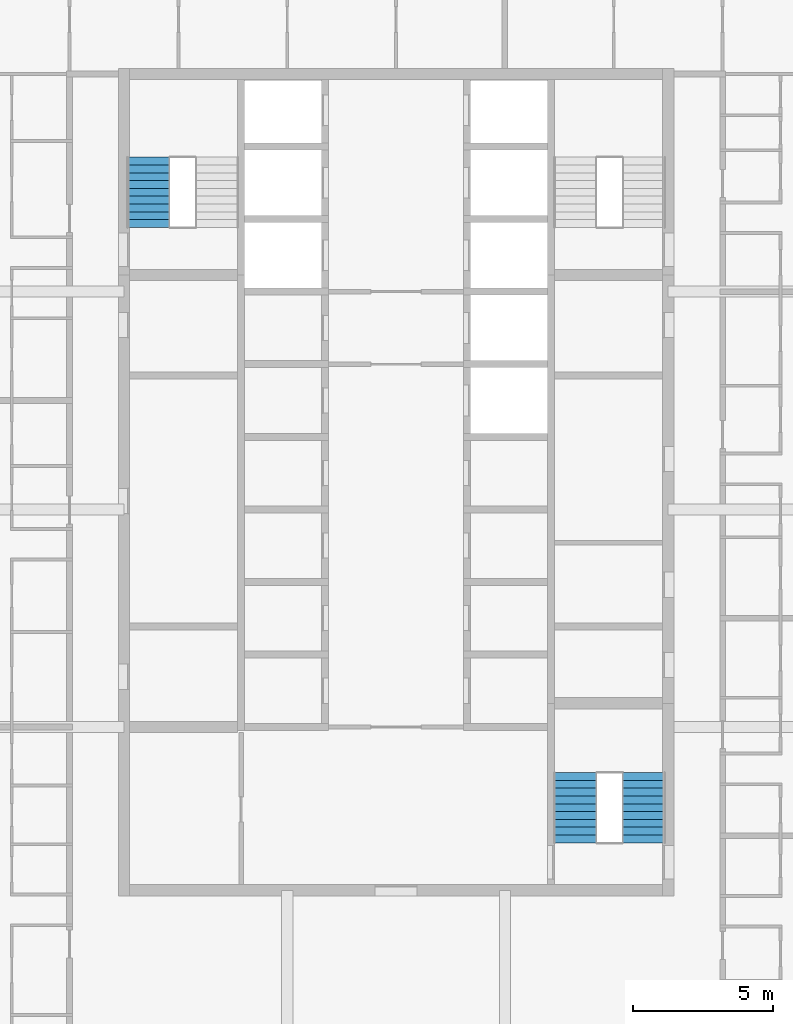
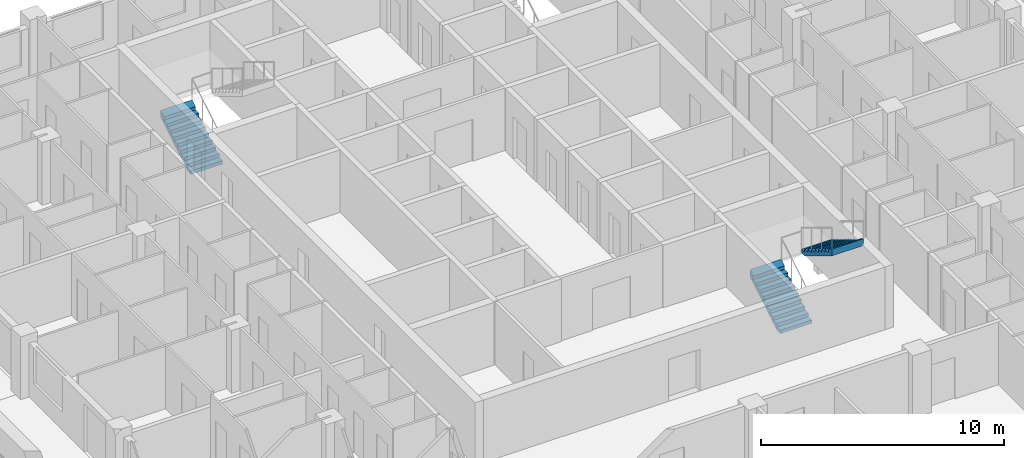
# One storey, part 13 of 17: 3 stair flights, 2 elements without a shape of their own.
"""IFC4 building model written with IfcOpenShell, lengths in metres."""

from ifc_helpers import new_model, si_unit, direction, frame, origin, place, context, subcontext, project, spatial, triangles, material, type_object, element, aggregate, save


model = new_model("IFC4")

# Units and contexts
model_context = context("Model", 3, precision=1e-05, world=origin(), true_north=direction((0.0, 1.0)))
body_context = subcontext(model_context, "Body", "Model", "MODEL_VIEW")
ifc_project = project(units=[si_unit("LENGTHUNIT", "METRE"), si_unit("AREAUNIT", "SQUARE_METRE"), si_unit("VOLUMEUNIT", "CUBIC_METRE"), si_unit("PLANEANGLEUNIT", "RADIAN"), si_unit("MASSUNIT", "GRAM", prefix="KILO")], contexts=[model_context])

# Site, building, storey
site_placement = place(None, origin())
site = spatial("IfcSite", under=ifc_project, at=site_placement, CompositionType="ELEMENT")
building_placement = place(site_placement, origin())
building = spatial("IfcBuilding", under=site, at=building_placement, Name="Ludao Terraces", CompositionType="ELEMENT")
storey_placement = place(building_placement, frame((0.0, 0.0, 221.10009765625)))
storey = spatial("IfcBuildingStorey", under=building, at=storey_placement, Name="L60", CompositionType="ELEMENT", Elevation=221.10009765625)

# Stair, stair flight
ifc_material = material(Name="Concrete C40", Category="concrete")
stair_type = type_object("IfcStairType", Name="INT Stair", PredefinedType="HALF_TURN_STAIR", material=ifc_material)
stair_1_placement = place(storey_placement, origin())
stair_1 = element("IfcStair", 1, at=stair_1_placement, inside=storey, type_object=stair_type, Name="EXIT STAIR 1", PredefinedType="HALF_TURN_STAIR")
stair_flight_type = type_object("IfcStairFlightType", Name="INT Stair flight", PredefinedType="STRAIGHT", material=ifc_material)
stair_flight_1_placement = place(storey_placement, frame((76.125, 79.0, 0.0), z_axis=(0.0, 0.0, 1.0), x_axis=(0.0, 1.0, 0.0)))
stair_flight_1 = element("IfcStairFlight", 2, at=stair_flight_1_placement, type_object=stair_flight_type, Name="ST1 flight 1", NumberOfRisers=10, NumberOfTreads=9, PredefinedType="STRAIGHT", RiserHeight=0.17, TreadLength=0.28, context=body_context, shape_type="Tessellation", body=[
    triangles([(0.0, -0.75, 0.0), (0.0, -0.5, 0.0), (0.0, -0.25, 0.0), (0.0, 0.0, 0.0), (0.0, 0.25, 0.0), (0.0, 0.5, 0.0), (0.0, 0.75, 0.0), (0.0, -0.75, 0.169921875), (0.0, -0.5, 0.169921875), (0.0, -0.25, 0.169921875), (0.0, 0.0, 0.169921875), (0.0, 0.25, 0.169921875), (0.0, 0.5, 0.169921875), (0.0, 0.75, 0.169921875), (0.280029296875, -0.75, 0.169921875), (0.280029296875, -0.5, 0.169921875), (0.280029296875, -0.25, 0.169921875), (0.280029296875, 0.0, 0.169921875), (0.280029296875, 0.25, 0.169921875), (0.280029296875, 0.5, 0.169921875), (0.280029296875, 0.75, 0.169921875), (0.280029296875, -0.75, 0.340087890625), (0.280029296875, -0.5, 0.340087890625), (0.280029296875, -0.25, 0.340087890625), (0.280029296875, 0.0, 0.340087890625), (0.280029296875, 0.25, 0.340087890625), (0.280029296875, 0.5, 0.340087890625), (0.280029296875, 0.75, 0.340087890625), (0.56005859375, -0.75, 0.340087890625), (0.56005859375, -0.5, 0.340087890625), (0.56005859375, -0.25, 0.340087890625), (0.56005859375, 0.0, 0.340087890625), (0.56005859375, 0.25, 0.340087890625), (0.56005859375, 0.5, 0.340087890625), (0.56005859375, 0.75, 0.340087890625), (0.56005859375, -0.75, 0.510009765625), (0.56005859375, -0.5, 0.510009765625), (0.56005859375, -0.25, 0.510009765625), (0.56005859375, 0.0, 0.510009765625), (0.56005859375, 0.25, 0.510009765625), (0.56005859375, 0.5, 0.510009765625), (0.56005859375, 0.75, 0.510009765625), (0.840087890625, -0.75, 0.510009765625), (0.840087890625, -0.5, 0.510009765625), (0.840087890625, -0.25, 0.510009765625), (0.840087890625, 0.0, 0.510009765625), (0.840087890625, 0.25, 0.510009765625), (0.840087890625, 0.5, 0.510009765625), (0.840087890625, 0.75, 0.510009765625), (0.840087890625, -0.75, 0.679931640625), (0.840087890625, -0.5, 0.679931640625), (0.840087890625, -0.25, 0.679931640625), (0.840087890625, 0.0, 0.679931640625), (0.840087890625, 0.25, 0.679931640625), (0.840087890625, 0.5, 0.679931640625), (0.840087890625, 0.75, 0.679931640625), (1.1201171875, -0.75, 0.679931640625), (1.1201171875, -0.5, 0.679931640625), (1.1201171875, -0.25, 0.679931640625), (1.1201171875, 0.0, 0.679931640625), (1.1201171875, 0.25, 0.679931640625), (1.1201171875, 0.5, 0.679931640625), (1.1201171875, 0.75, 0.679931640625), (1.1201171875, -0.75, 0.85009765625), (1.1201171875, -0.5, 0.85009765625), (1.1201171875, -0.25, 0.85009765625), (1.1201171875, 0.0, 0.85009765625), (1.1201171875, 0.25, 0.85009765625), (1.1201171875, 0.5, 0.85009765625), (1.1201171875, 0.75, 0.85009765625), (1.39990234375, -0.75, 0.85009765625), (1.39990234375, -0.5, 0.85009765625), (1.39990234375, -0.25, 0.85009765625), (1.39990234375, 0.0, 0.85009765625), (1.39990234375, 0.25, 0.85009765625), (1.39990234375, 0.5, 0.85009765625), (1.39990234375, 0.75, 0.85009765625), (1.39990234375, -0.75, 1.02001953125), (1.39990234375, -0.5, 1.02001953125), (1.39990234375, -0.25, 1.02001953125), (1.39990234375, 0.0, 1.02001953125), (1.39990234375, 0.25, 1.02001953125), (1.39990234375, 0.5, 1.02001953125), (1.39990234375, 0.75, 1.02001953125), (1.679931640625, -0.75, 1.02001953125), (1.679931640625, -0.5, 1.02001953125), (1.679931640625, -0.25, 1.02001953125), (1.679931640625, 0.0, 1.02001953125), (1.679931640625, 0.25, 1.02001953125), (1.679931640625, 0.5, 1.02001953125), (1.679931640625, 0.75, 1.02001953125), (1.679931640625, -0.75, 1.18994140625), (1.679931640625, -0.5, 1.18994140625), (1.679931640625, -0.25, 1.18994140625), (1.679931640625, 0.0, 1.18994140625), (1.679931640625, 0.25, 1.18994140625), (1.679931640625, 0.5, 1.18994140625), (1.679931640625, 0.75, 1.18994140625), (1.9599609375, -0.75, 1.18994140625), (1.9599609375, -0.5, 1.18994140625), (1.9599609375, -0.25, 1.18994140625), (1.9599609375, 0.0, 1.18994140625), (1.9599609375, 0.25, 1.18994140625), (1.9599609375, 0.5, 1.18994140625), (1.9599609375, 0.75, 1.18994140625), (1.9599609375, -0.75, 1.360107421875), (1.9599609375, -0.5, 1.360107421875), (1.9599609375, -0.25, 1.360107421875), (1.9599609375, 0.0, 1.360107421875), (1.9599609375, 0.25, 1.360107421875), (1.9599609375, 0.5, 1.360107421875), (1.9599609375, 0.75, 1.360107421875), (2.239990234375, -0.75, 1.360107421875), (2.239990234375, -0.5, 1.360107421875), (2.239990234375, -0.25, 1.360107421875), (2.239990234375, 0.0, 1.360107421875), (2.239990234375, 0.25, 1.360107421875), (2.239990234375, 0.5, 1.360107421875), (2.239990234375, 0.75, 1.360107421875), (2.239990234375, -0.75, 1.530029296875), (2.239990234375, -0.5, 1.530029296875), (2.239990234375, -0.25, 1.530029296875), (2.239990234375, 0.0, 1.530029296875), (2.239990234375, 0.25, 1.530029296875), (2.239990234375, 0.5, 1.530029296875), (2.239990234375, 0.75, 1.530029296875), (2.52001953125, -0.75, 1.699951171875), (2.52001953125, -0.5, 1.699951171875), (2.52001953125, -0.25, 1.699951171875), (2.52001953125, 0.0, 1.699951171875), (2.52001953125, 0.25, 1.699951171875), (2.52001953125, 0.5, 1.699951171875), (2.52001953125, 0.75, 1.699951171875), (2.52001953125, -0.75, 1.354736328125), (2.52001953125, -0.5, 1.354736328125), (2.52001953125, -0.25, 1.354736328125), (2.52001953125, 0.0, 1.354736328125), (2.52001953125, 0.25, 1.354736328125), (2.52001953125, 0.5, 1.354736328125), (2.52001953125, 0.75, 1.354736328125), (0.288818359375, -0.75, 0.0), (0.288818359375, -0.5, 0.0), (0.288818359375, -0.25, 0.0), (0.288818359375, 0.0, 0.0), (0.288818359375, 0.25, 0.0), (0.288818359375, 0.5, 0.0), (0.288818359375, 0.75, 0.0)], [[1, 141, 134], [7, 140, 147], [134, 127, 120], [140, 126, 133], [134, 120, 113], [140, 119, 126], [134, 113, 106], [140, 112, 119], [134, 106, 99], [140, 105, 112], [99, 92, 85], [105, 91, 98], [134, 99, 85], [140, 91, 105], [85, 78, 71], [91, 77, 84], [134, 85, 71], [140, 77, 91], [71, 64, 57], [77, 63, 70], [134, 71, 57], [140, 63, 77], [57, 50, 43], [63, 49, 56], [134, 57, 43], [140, 49, 63], [43, 36, 29], [49, 35, 42], [134, 43, 29], [140, 35, 49], [29, 22, 15], [35, 21, 28], [134, 29, 15], [140, 21, 35], [1, 134, 15], [7, 21, 140], [15, 8, 1], [21, 7, 14], [1, 9, 2], [1, 8, 9], [2, 10, 3], [2, 9, 10], [3, 11, 4], [3, 10, 11], [4, 12, 5], [4, 11, 12], [5, 13, 6], [5, 12, 13], [6, 14, 7], [6, 13, 14], [8, 16, 9], [8, 15, 16], [9, 17, 10], [9, 16, 17], [10, 18, 11], [10, 17, 18], [11, 19, 12], [11, 18, 19], [12, 20, 13], [12, 19, 20], [13, 21, 14], [13, 20, 21], [15, 23, 16], [15, 22, 23], [16, 24, 17], [16, 23, 24], [17, 25, 18], [17, 24, 25], [18, 26, 19], [18, 25, 26], [19, 27, 20], [19, 26, 27], [20, 28, 21], [20, 27, 28], [22, 30, 23], [22, 29, 30], [23, 31, 24], [23, 30, 31], [24, 32, 25], [24, 31, 32], [25, 33, 26], [25, 32, 33], [26, 34, 27], [26, 33, 34], [27, 35, 28], [27, 34, 35], [29, 37, 30], [29, 36, 37], [30, 38, 31], [30, 37, 38], [31, 39, 32], [31, 38, 39], [32, 40, 33], [32, 39, 40], [33, 41, 34], [33, 40, 41], [34, 42, 35], [34, 41, 42], [36, 44, 37], [36, 43, 44], [37, 45, 38], [37, 44, 45], [38, 46, 39], [38, 45, 46], [39, 47, 40], [39, 46, 47], [40, 48, 41], [40, 47, 48], [41, 49, 42], [41, 48, 49], [43, 51, 44], [43, 50, 51], [44, 52, 45], [44, 51, 52], [45, 53, 46], [45, 52, 53], [46, 54, 47], [46, 53, 54], [47, 55, 48], [47, 54, 55], [48, 56, 49], [48, 55, 56], [50, 58, 51], [50, 57, 58], [51, 59, 52], [51, 58, 59], [52, 60, 53], [52, 59, 60], [53, 61, 54], [53, 60, 61], [54, 62, 55], [54, 61, 62], [55, 63, 56], [55, 62, 63], [57, 65, 58], [57, 64, 65], [58, 66, 59], [58, 65, 66], [59, 67, 60], [59, 66, 67], [60, 68, 61], [60, 67, 68], [61, 69, 62], [61, 68, 69], [62, 70, 63], [62, 69, 70], [64, 72, 65], [64, 71, 72], [65, 73, 66], [65, 72, 73], [66, 74, 67], [66, 73, 74], [67, 75, 68], [67, 74, 75], [68, 76, 69], [68, 75, 76], [69, 77, 70], [69, 76, 77], [71, 79, 72], [71, 78, 79], [72, 80, 73], [72, 79, 80], [73, 81, 74], [73, 80, 81], [74, 82, 75], [74, 81, 82], [75, 83, 76], [75, 82, 83], [76, 84, 77], [76, 83, 84], [78, 86, 79], [78, 85, 86], [79, 87, 80], [79, 86, 87], [80, 88, 81], [80, 87, 88], [81, 89, 82], [81, 88, 89], [82, 90, 83], [82, 89, 90], [83, 91, 84], [83, 90, 91], [85, 93, 86], [85, 92, 93], [86, 94, 87], [86, 93, 94], [87, 95, 88], [87, 94, 95], [88, 96, 89], [88, 95, 96], [89, 97, 90], [89, 96, 97], [90, 98, 91], [90, 97, 98], [92, 100, 93], [92, 99, 100], [93, 101, 94], [93, 100, 101], [94, 102, 95], [94, 101, 102], [95, 103, 96], [95, 102, 103], [96, 104, 97], [96, 103, 104], [97, 105, 98], [97, 104, 105], [99, 107, 100], [99, 106, 107], [100, 108, 101], [100, 107, 108], [101, 109, 102], [101, 108, 109], [102, 110, 103], [102, 109, 110], [103, 111, 104], [103, 110, 111], [104, 112, 105], [104, 111, 112], [106, 114, 107], [106, 113, 114], [107, 115, 108], [107, 114, 115], [108, 116, 109], [108, 115, 116], [109, 117, 110], [109, 116, 117], [110, 118, 111], [110, 117, 118], [111, 119, 112], [111, 118, 119], [113, 121, 114], [113, 120, 121], [114, 122, 115], [114, 121, 122], [115, 123, 116], [115, 122, 123], [116, 124, 117], [116, 123, 124], [117, 125, 118], [117, 124, 125], [118, 126, 119], [118, 125, 126], [120, 128, 121], [120, 127, 128], [121, 129, 122], [121, 128, 129], [122, 130, 123], [122, 129, 130], [123, 131, 124], [123, 130, 131], [124, 132, 125], [124, 131, 132], [125, 133, 126], [125, 132, 133], [127, 135, 128], [127, 134, 135], [128, 136, 129], [128, 135, 136], [129, 137, 130], [129, 136, 137], [130, 138, 131], [130, 137, 138], [131, 139, 132], [131, 138, 139], [132, 140, 133], [132, 139, 140], [134, 142, 135], [134, 141, 142], [135, 143, 136], [135, 142, 143], [136, 144, 137], [136, 143, 144], [137, 145, 138], [137, 144, 145], [138, 146, 139], [138, 145, 146], [139, 147, 140], [139, 146, 147], [141, 2, 142], [141, 1, 2], [142, 3, 143], [142, 2, 3], [143, 4, 144], [143, 3, 4], [144, 5, 145], [144, 4, 5], [145, 6, 146], [145, 5, 6], [146, 7, 147], [146, 6, 7]], closed=True),
])
aggregate(stair_1, [stair_flight_1])

# Stair, stair flights
stair_2_placement = place(storey_placement, origin())
stair_2 = element("IfcStair", 3, at=stair_2_placement, inside=storey, type_object=stair_type, Name="EXIT STAIR 3", PredefinedType="HALF_TURN_STAIR")
stair_flight_2_placement = place(storey_placement, frame((91.425048828125, 56.949951171875, 0.0), z_axis=(0.0, 0.0, 1.0), x_axis=(0.0, 1.0, 0.0)))
stair_flight_2 = element("IfcStairFlight", 4, at=stair_flight_2_placement, type_object=stair_flight_type, Name="ST3 flight 1", NumberOfRisers=10, NumberOfTreads=9, PredefinedType="STRAIGHT", RiserHeight=0.17, TreadLength=0.28, context=body_context, shape_type="Tessellation", body=[
    triangles([(0.0, -0.75, 0.0), (0.0, -0.5, 0.0), (0.0, -0.25, 0.0), (0.0, 0.0, 0.0), (0.0, 0.25, 0.0), (0.0, 0.5, 0.0), (0.0, 0.75, 0.0), (0.0, -0.75, 0.169921875), (0.0, -0.5, 0.169921875), (0.0, -0.25, 0.169921875), (0.0, 0.0, 0.169921875), (0.0, 0.25, 0.169921875), (0.0, 0.5, 0.169921875), (0.0, 0.75, 0.169921875), (0.280029296875, -0.75, 0.169921875), (0.280029296875, -0.5, 0.169921875), (0.280029296875, -0.25, 0.169921875), (0.280029296875, 0.0, 0.169921875), (0.280029296875, 0.25, 0.169921875), (0.280029296875, 0.5, 0.169921875), (0.280029296875, 0.75, 0.169921875), (0.280029296875, -0.75, 0.340087890625), (0.280029296875, -0.5, 0.340087890625), (0.280029296875, -0.25, 0.340087890625), (0.280029296875, 0.0, 0.340087890625), (0.280029296875, 0.25, 0.340087890625), (0.280029296875, 0.5, 0.340087890625), (0.280029296875, 0.75, 0.340087890625), (0.56005859375, -0.75, 0.340087890625), (0.56005859375, -0.5, 0.340087890625), (0.56005859375, -0.25, 0.340087890625), (0.56005859375, 0.0, 0.340087890625), (0.56005859375, 0.25, 0.340087890625), (0.56005859375, 0.5, 0.340087890625), (0.56005859375, 0.75, 0.340087890625), (0.56005859375, -0.75, 0.510009765625), (0.56005859375, -0.5, 0.510009765625), (0.56005859375, -0.25, 0.510009765625), (0.56005859375, 0.0, 0.510009765625), (0.56005859375, 0.25, 0.510009765625), (0.56005859375, 0.5, 0.510009765625), (0.56005859375, 0.75, 0.510009765625), (0.840087890625, -0.75, 0.510009765625), (0.840087890625, -0.5, 0.510009765625), (0.840087890625, -0.25, 0.510009765625), (0.840087890625, 0.0, 0.510009765625), (0.840087890625, 0.25, 0.510009765625), (0.840087890625, 0.5, 0.510009765625), (0.840087890625, 0.75, 0.510009765625), (0.840087890625, -0.75, 0.679931640625), (0.840087890625, -0.5, 0.679931640625), (0.840087890625, -0.25, 0.679931640625), (0.840087890625, 0.0, 0.679931640625), (0.840087890625, 0.25, 0.679931640625), (0.840087890625, 0.5, 0.679931640625), (0.840087890625, 0.75, 0.679931640625), (1.1201171875, -0.75, 0.679931640625), (1.1201171875, -0.5, 0.679931640625), (1.1201171875, -0.25, 0.679931640625), (1.1201171875, 0.0, 0.679931640625), (1.1201171875, 0.25, 0.679931640625), (1.1201171875, 0.5, 0.679931640625), (1.1201171875, 0.75, 0.679931640625), (1.1201171875, -0.75, 0.85009765625), (1.1201171875, -0.5, 0.85009765625), (1.1201171875, -0.25, 0.85009765625), (1.1201171875, 0.0, 0.85009765625), (1.1201171875, 0.25, 0.85009765625), (1.1201171875, 0.5, 0.85009765625), (1.1201171875, 0.75, 0.85009765625), (1.39990234375, -0.75, 0.85009765625), (1.39990234375, -0.5, 0.85009765625), (1.39990234375, -0.25, 0.85009765625), (1.39990234375, 0.0, 0.85009765625), (1.39990234375, 0.25, 0.85009765625), (1.39990234375, 0.5, 0.85009765625), (1.39990234375, 0.75, 0.85009765625), (1.39990234375, -0.75, 1.02001953125), (1.39990234375, -0.5, 1.02001953125), (1.39990234375, -0.25, 1.02001953125), (1.39990234375, 0.0, 1.02001953125), (1.39990234375, 0.25, 1.02001953125), (1.39990234375, 0.5, 1.02001953125), (1.39990234375, 0.75, 1.02001953125), (1.679931640625, -0.75, 1.02001953125), (1.679931640625, -0.5, 1.02001953125), (1.679931640625, -0.25, 1.02001953125), (1.679931640625, 0.0, 1.02001953125), (1.679931640625, 0.25, 1.02001953125), (1.679931640625, 0.5, 1.02001953125), (1.679931640625, 0.75, 1.02001953125), (1.679931640625, -0.75, 1.18994140625), (1.679931640625, -0.5, 1.18994140625), (1.679931640625, -0.25, 1.18994140625), (1.679931640625, 0.0, 1.18994140625), (1.679931640625, 0.25, 1.18994140625), (1.679931640625, 0.5, 1.18994140625), (1.679931640625, 0.75, 1.18994140625), (1.9599609375, -0.75, 1.18994140625), (1.9599609375, -0.5, 1.18994140625), (1.9599609375, -0.25, 1.18994140625), (1.9599609375, 0.0, 1.18994140625), (1.9599609375, 0.25, 1.18994140625), (1.9599609375, 0.5, 1.18994140625), (1.9599609375, 0.75, 1.18994140625), (1.9599609375, -0.75, 1.360107421875), (1.9599609375, -0.5, 1.360107421875), (1.9599609375, -0.25, 1.360107421875), (1.9599609375, 0.0, 1.360107421875), (1.9599609375, 0.25, 1.360107421875), (1.9599609375, 0.5, 1.360107421875), (1.9599609375, 0.75, 1.360107421875), (2.239990234375, -0.75, 1.360107421875), (2.239990234375, -0.5, 1.360107421875), (2.239990234375, -0.25, 1.360107421875), (2.239990234375, 0.0, 1.360107421875), (2.239990234375, 0.25, 1.360107421875), (2.239990234375, 0.5, 1.360107421875), (2.239990234375, 0.75, 1.360107421875), (2.239990234375, -0.75, 1.530029296875), (2.239990234375, -0.5, 1.530029296875), (2.239990234375, -0.25, 1.530029296875), (2.239990234375, 0.0, 1.530029296875), (2.239990234375, 0.25, 1.530029296875), (2.239990234375, 0.5, 1.530029296875), (2.239990234375, 0.75, 1.530029296875), (2.52001953125, -0.75, 1.699951171875), (2.52001953125, -0.5, 1.699951171875), (2.52001953125, -0.25, 1.699951171875), (2.52001953125, 0.0, 1.699951171875), (2.52001953125, 0.25, 1.699951171875), (2.52001953125, 0.5, 1.699951171875), (2.52001953125, 0.75, 1.699951171875), (2.52001953125, -0.75, 1.354736328125), (2.52001953125, -0.5, 1.354736328125), (2.52001953125, -0.25, 1.354736328125), (2.52001953125, 0.0, 1.354736328125), (2.52001953125, 0.25, 1.354736328125), (2.52001953125, 0.5, 1.354736328125), (2.52001953125, 0.75, 1.354736328125), (0.288818359375, -0.75, 0.0), (0.288818359375, -0.5, 0.0), (0.288818359375, -0.25, 0.0), (0.288818359375, 0.0, 0.0), (0.288818359375, 0.25, 0.0), (0.288818359375, 0.5, 0.0), (0.288818359375, 0.75, 0.0)], [[1, 141, 134], [7, 140, 147], [134, 127, 120], [140, 126, 133], [134, 120, 113], [140, 119, 126], [134, 113, 106], [140, 112, 119], [134, 106, 99], [140, 105, 112], [99, 92, 85], [105, 91, 98], [134, 99, 85], [140, 91, 105], [85, 78, 71], [91, 77, 84], [134, 85, 71], [140, 77, 91], [71, 64, 57], [77, 63, 70], [134, 71, 57], [140, 63, 77], [57, 50, 43], [63, 49, 56], [134, 57, 43], [140, 49, 63], [43, 36, 29], [49, 35, 42], [134, 43, 29], [140, 35, 49], [29, 22, 15], [35, 21, 28], [134, 29, 15], [140, 21, 35], [1, 134, 15], [7, 21, 140], [15, 8, 1], [21, 7, 14], [1, 9, 2], [1, 8, 9], [2, 10, 3], [2, 9, 10], [3, 11, 4], [3, 10, 11], [4, 12, 5], [4, 11, 12], [5, 13, 6], [5, 12, 13], [6, 14, 7], [6, 13, 14], [8, 16, 9], [8, 15, 16], [9, 17, 10], [9, 16, 17], [10, 18, 11], [10, 17, 18], [11, 19, 12], [11, 18, 19], [12, 20, 13], [12, 19, 20], [13, 21, 14], [13, 20, 21], [15, 23, 16], [15, 22, 23], [16, 24, 17], [16, 23, 24], [17, 25, 18], [17, 24, 25], [18, 26, 19], [18, 25, 26], [19, 27, 20], [19, 26, 27], [20, 28, 21], [20, 27, 28], [22, 30, 23], [22, 29, 30], [23, 31, 24], [23, 30, 31], [24, 32, 25], [24, 31, 32], [25, 33, 26], [25, 32, 33], [26, 34, 27], [26, 33, 34], [27, 35, 28], [27, 34, 35], [29, 37, 30], [29, 36, 37], [30, 38, 31], [30, 37, 38], [31, 39, 32], [31, 38, 39], [32, 40, 33], [32, 39, 40], [33, 41, 34], [33, 40, 41], [34, 42, 35], [34, 41, 42], [36, 44, 37], [36, 43, 44], [37, 45, 38], [37, 44, 45], [38, 46, 39], [38, 45, 46], [39, 47, 40], [39, 46, 47], [40, 48, 41], [40, 47, 48], [41, 49, 42], [41, 48, 49], [43, 51, 44], [43, 50, 51], [44, 52, 45], [44, 51, 52], [45, 53, 46], [45, 52, 53], [46, 54, 47], [46, 53, 54], [47, 55, 48], [47, 54, 55], [48, 56, 49], [48, 55, 56], [50, 58, 51], [50, 57, 58], [51, 59, 52], [51, 58, 59], [52, 60, 53], [52, 59, 60], [53, 61, 54], [53, 60, 61], [54, 62, 55], [54, 61, 62], [55, 63, 56], [55, 62, 63], [57, 65, 58], [57, 64, 65], [58, 66, 59], [58, 65, 66], [59, 67, 60], [59, 66, 67], [60, 68, 61], [60, 67, 68], [61, 69, 62], [61, 68, 69], [62, 70, 63], [62, 69, 70], [64, 72, 65], [64, 71, 72], [65, 73, 66], [65, 72, 73], [66, 74, 67], [66, 73, 74], [67, 75, 68], [67, 74, 75], [68, 76, 69], [68, 75, 76], [69, 77, 70], [69, 76, 77], [71, 79, 72], [71, 78, 79], [72, 80, 73], [72, 79, 80], [73, 81, 74], [73, 80, 81], [74, 82, 75], [74, 81, 82], [75, 83, 76], [75, 82, 83], [76, 84, 77], [76, 83, 84], [78, 86, 79], [78, 85, 86], [79, 87, 80], [79, 86, 87], [80, 88, 81], [80, 87, 88], [81, 89, 82], [81, 88, 89], [82, 90, 83], [82, 89, 90], [83, 91, 84], [83, 90, 91], [85, 93, 86], [85, 92, 93], [86, 94, 87], [86, 93, 94], [87, 95, 88], [87, 94, 95], [88, 96, 89], [88, 95, 96], [89, 97, 90], [89, 96, 97], [90, 98, 91], [90, 97, 98], [92, 100, 93], [92, 99, 100], [93, 101, 94], [93, 100, 101], [94, 102, 95], [94, 101, 102], [95, 103, 96], [95, 102, 103], [96, 104, 97], [96, 103, 104], [97, 105, 98], [97, 104, 105], [99, 107, 100], [99, 106, 107], [100, 108, 101], [100, 107, 108], [101, 109, 102], [101, 108, 109], [102, 110, 103], [102, 109, 110], [103, 111, 104], [103, 110, 111], [104, 112, 105], [104, 111, 112], [106, 114, 107], [106, 113, 114], [107, 115, 108], [107, 114, 115], [108, 116, 109], [108, 115, 116], [109, 117, 110], [109, 116, 117], [110, 118, 111], [110, 117, 118], [111, 119, 112], [111, 118, 119], [113, 121, 114], [113, 120, 121], [114, 122, 115], [114, 121, 122], [115, 123, 116], [115, 122, 123], [116, 124, 117], [116, 123, 124], [117, 125, 118], [117, 124, 125], [118, 126, 119], [118, 125, 126], [120, 128, 121], [120, 127, 128], [121, 129, 122], [121, 128, 129], [122, 130, 123], [122, 129, 130], [123, 131, 124], [123, 130, 131], [124, 132, 125], [124, 131, 132], [125, 133, 126], [125, 132, 133], [127, 135, 128], [127, 134, 135], [128, 136, 129], [128, 135, 136], [129, 137, 130], [129, 136, 137], [130, 138, 131], [130, 137, 138], [131, 139, 132], [131, 138, 139], [132, 140, 133], [132, 139, 140], [134, 142, 135], [134, 141, 142], [135, 143, 136], [135, 142, 143], [136, 144, 137], [136, 143, 144], [137, 145, 138], [137, 144, 145], [138, 146, 139], [138, 145, 146], [139, 147, 140], [139, 146, 147], [141, 2, 142], [141, 1, 2], [142, 3, 143], [142, 2, 3], [143, 4, 144], [143, 3, 4], [144, 5, 145], [144, 4, 5], [145, 6, 146], [145, 5, 6], [146, 7, 147], [146, 6, 7]], closed=True),
])
stair_flight_3_placement = place(storey_placement, frame((93.875, 59.469970703125, 1.699951171875), z_axis=(0.0, 0.0, 1.0), x_axis=(0.0, -1.0, 0.0)))
stair_flight_3 = element("IfcStairFlight", 5, at=stair_flight_3_placement, type_object=stair_flight_type, Name="ST3 flight 2", NumberOfRisers=10, NumberOfTreads=9, PredefinedType="STRAIGHT", RiserHeight=0.17, TreadLength=0.28, context=body_context, shape_type="Tessellation", body=[
    triangles([(0.0, -0.75, 0.0), (0.0, -0.5, 0.0), (0.0, -0.25, 0.0), (0.0, 0.0, 0.0), (0.0, 0.25, 0.0), (0.0, 0.5, 0.0), (0.0, 0.75, 0.0), (0.0, -0.75, 0.169921875), (0.0, -0.5, 0.169921875), (0.0, -0.25, 0.169921875), (0.0, 0.0, 0.169921875), (0.0, 0.25, 0.169921875), (0.0, 0.5, 0.169921875), (0.0, 0.75, 0.169921875), (0.280029296875, -0.75, 0.169921875), (0.280029296875, -0.5, 0.169921875), (0.280029296875, -0.25, 0.169921875), (0.280029296875, 0.0, 0.169921875), (0.280029296875, 0.25, 0.169921875), (0.280029296875, 0.5, 0.169921875), (0.280029296875, 0.75, 0.169921875), (0.280029296875, -0.75, 0.340087890625), (0.280029296875, -0.5, 0.340087890625), (0.280029296875, -0.25, 0.340087890625), (0.280029296875, 0.0, 0.340087890625), (0.280029296875, 0.25, 0.340087890625), (0.280029296875, 0.5, 0.340087890625), (0.280029296875, 0.75, 0.340087890625), (0.56005859375, -0.75, 0.340087890625), (0.56005859375, -0.5, 0.340087890625), (0.56005859375, -0.25, 0.340087890625), (0.56005859375, 0.0, 0.340087890625), (0.56005859375, 0.25, 0.340087890625), (0.56005859375, 0.5, 0.340087890625), (0.56005859375, 0.75, 0.340087890625), (0.56005859375, -0.75, 0.510009765625), (0.56005859375, -0.5, 0.510009765625), (0.56005859375, -0.25, 0.510009765625), (0.56005859375, 0.0, 0.510009765625), (0.56005859375, 0.25, 0.510009765625), (0.56005859375, 0.5, 0.510009765625), (0.56005859375, 0.75, 0.510009765625), (0.840087890625, -0.75, 0.510009765625), (0.840087890625, -0.5, 0.510009765625), (0.840087890625, -0.25, 0.510009765625), (0.840087890625, 0.0, 0.510009765625), (0.840087890625, 0.25, 0.510009765625), (0.840087890625, 0.5, 0.510009765625), (0.840087890625, 0.75, 0.510009765625), (0.840087890625, -0.75, 0.679931640625), (0.840087890625, -0.5, 0.679931640625), (0.840087890625, -0.25, 0.679931640625), (0.840087890625, 0.0, 0.679931640625), (0.840087890625, 0.25, 0.679931640625), (0.840087890625, 0.5, 0.679931640625), (0.840087890625, 0.75, 0.679931640625), (1.1201171875, -0.75, 0.679931640625), (1.1201171875, -0.5, 0.679931640625), (1.1201171875, -0.25, 0.679931640625), (1.1201171875, 0.0, 0.679931640625), (1.1201171875, 0.25, 0.679931640625), (1.1201171875, 0.5, 0.679931640625), (1.1201171875, 0.75, 0.679931640625), (1.1201171875, -0.75, 0.85009765625), (1.1201171875, -0.5, 0.85009765625), (1.1201171875, -0.25, 0.85009765625), (1.1201171875, 0.0, 0.85009765625), (1.1201171875, 0.25, 0.85009765625), (1.1201171875, 0.5, 0.85009765625), (1.1201171875, 0.75, 0.85009765625), (1.39990234375, -0.75, 0.85009765625), (1.39990234375, -0.5, 0.85009765625), (1.39990234375, -0.25, 0.85009765625), (1.39990234375, 0.0, 0.85009765625), (1.39990234375, 0.25, 0.85009765625), (1.39990234375, 0.5, 0.85009765625), (1.39990234375, 0.75, 0.85009765625), (1.39990234375, -0.75, 1.02001953125), (1.39990234375, -0.5, 1.02001953125), (1.39990234375, -0.25, 1.02001953125), (1.39990234375, 0.0, 1.02001953125), (1.39990234375, 0.25, 1.02001953125), (1.39990234375, 0.5, 1.02001953125), (1.39990234375, 0.75, 1.02001953125), (1.679931640625, -0.75, 1.02001953125), (1.679931640625, -0.5, 1.02001953125), (1.679931640625, -0.25, 1.02001953125), (1.679931640625, 0.0, 1.02001953125), (1.679931640625, 0.25, 1.02001953125), (1.679931640625, 0.5, 1.02001953125), (1.679931640625, 0.75, 1.02001953125), (1.679931640625, -0.75, 1.18994140625), (1.679931640625, -0.5, 1.18994140625), (1.679931640625, -0.25, 1.18994140625), (1.679931640625, 0.0, 1.18994140625), (1.679931640625, 0.25, 1.18994140625), (1.679931640625, 0.5, 1.18994140625), (1.679931640625, 0.75, 1.18994140625), (1.9599609375, -0.75, 1.18994140625), (1.9599609375, -0.5, 1.18994140625), (1.9599609375, -0.25, 1.18994140625), (1.9599609375, 0.0, 1.18994140625), (1.9599609375, 0.25, 1.18994140625), (1.9599609375, 0.5, 1.18994140625), (1.9599609375, 0.75, 1.18994140625), (1.9599609375, -0.75, 1.360107421875), (1.9599609375, -0.5, 1.360107421875), (1.9599609375, -0.25, 1.360107421875), (1.9599609375, 0.0, 1.360107421875), (1.9599609375, 0.25, 1.360107421875), (1.9599609375, 0.5, 1.360107421875), (1.9599609375, 0.75, 1.360107421875), (2.239990234375, -0.75, 1.360107421875), (2.239990234375, -0.5, 1.360107421875), (2.239990234375, -0.25, 1.360107421875), (2.239990234375, 0.0, 1.360107421875), (2.239990234375, 0.25, 1.360107421875), (2.239990234375, 0.5, 1.360107421875), (2.239990234375, 0.75, 1.360107421875), (2.239990234375, -0.75, 1.530029296875), (2.239990234375, -0.5, 1.530029296875), (2.239990234375, -0.25, 1.530029296875), (2.239990234375, 0.0, 1.530029296875), (2.239990234375, 0.25, 1.530029296875), (2.239990234375, 0.5, 1.530029296875), (2.239990234375, 0.75, 1.530029296875), (2.52001953125, -0.75, 1.699951171875), (2.52001953125, -0.5, 1.699951171875), (2.52001953125, -0.25, 1.699951171875), (2.52001953125, 0.0, 1.699951171875), (2.52001953125, 0.25, 1.699951171875), (2.52001953125, 0.5, 1.699951171875), (2.52001953125, 0.75, 1.699951171875), (2.52001953125, -0.75, 1.354736328125), (2.52001953125, -0.5, 1.354736328125), (2.52001953125, -0.25, 1.354736328125), (2.52001953125, 0.0, 1.354736328125), (2.52001953125, 0.25, 1.354736328125), (2.52001953125, 0.5, 1.354736328125), (2.52001953125, 0.75, 1.354736328125), (0.288818359375, -0.75, 0.0), (0.288818359375, -0.5, 0.0), (0.288818359375, -0.25, 0.0), (0.288818359375, 0.0, 0.0), (0.288818359375, 0.25, 0.0), (0.288818359375, 0.5, 0.0), (0.288818359375, 0.75, 0.0)], [[1, 141, 134], [7, 140, 147], [134, 127, 120], [140, 126, 133], [134, 120, 113], [140, 119, 126], [134, 113, 106], [140, 112, 119], [134, 106, 99], [140, 105, 112], [99, 92, 85], [105, 91, 98], [134, 99, 85], [140, 91, 105], [85, 78, 71], [91, 77, 84], [134, 85, 71], [140, 77, 91], [71, 64, 57], [77, 63, 70], [134, 71, 57], [140, 63, 77], [57, 50, 43], [63, 49, 56], [134, 57, 43], [140, 49, 63], [43, 36, 29], [49, 35, 42], [134, 43, 29], [140, 35, 49], [29, 22, 15], [35, 21, 28], [134, 29, 15], [140, 21, 35], [1, 134, 15], [7, 21, 140], [15, 8, 1], [21, 7, 14], [1, 9, 2], [1, 8, 9], [2, 10, 3], [2, 9, 10], [3, 11, 4], [3, 10, 11], [4, 12, 5], [4, 11, 12], [5, 13, 6], [5, 12, 13], [6, 14, 7], [6, 13, 14], [8, 16, 9], [8, 15, 16], [9, 17, 10], [9, 16, 17], [10, 18, 11], [10, 17, 18], [11, 19, 12], [11, 18, 19], [12, 20, 13], [12, 19, 20], [13, 21, 14], [13, 20, 21], [15, 23, 16], [15, 22, 23], [16, 24, 17], [16, 23, 24], [17, 25, 18], [17, 24, 25], [18, 26, 19], [18, 25, 26], [19, 27, 20], [19, 26, 27], [20, 28, 21], [20, 27, 28], [22, 30, 23], [22, 29, 30], [23, 31, 24], [23, 30, 31], [24, 32, 25], [24, 31, 32], [25, 33, 26], [25, 32, 33], [26, 34, 27], [26, 33, 34], [27, 35, 28], [27, 34, 35], [29, 37, 30], [29, 36, 37], [30, 38, 31], [30, 37, 38], [31, 39, 32], [31, 38, 39], [32, 40, 33], [32, 39, 40], [33, 41, 34], [33, 40, 41], [34, 42, 35], [34, 41, 42], [36, 44, 37], [36, 43, 44], [37, 45, 38], [37, 44, 45], [38, 46, 39], [38, 45, 46], [39, 47, 40], [39, 46, 47], [40, 48, 41], [40, 47, 48], [41, 49, 42], [41, 48, 49], [43, 51, 44], [43, 50, 51], [44, 52, 45], [44, 51, 52], [45, 53, 46], [45, 52, 53], [46, 54, 47], [46, 53, 54], [47, 55, 48], [47, 54, 55], [48, 56, 49], [48, 55, 56], [50, 58, 51], [50, 57, 58], [51, 59, 52], [51, 58, 59], [52, 60, 53], [52, 59, 60], [53, 61, 54], [53, 60, 61], [54, 62, 55], [54, 61, 62], [55, 63, 56], [55, 62, 63], [57, 65, 58], [57, 64, 65], [58, 66, 59], [58, 65, 66], [59, 67, 60], [59, 66, 67], [60, 68, 61], [60, 67, 68], [61, 69, 62], [61, 68, 69], [62, 70, 63], [62, 69, 70], [64, 72, 65], [64, 71, 72], [65, 73, 66], [65, 72, 73], [66, 74, 67], [66, 73, 74], [67, 75, 68], [67, 74, 75], [68, 76, 69], [68, 75, 76], [69, 77, 70], [69, 76, 77], [71, 79, 72], [71, 78, 79], [72, 80, 73], [72, 79, 80], [73, 81, 74], [73, 80, 81], [74, 82, 75], [74, 81, 82], [75, 83, 76], [75, 82, 83], [76, 84, 77], [76, 83, 84], [78, 86, 79], [78, 85, 86], [79, 87, 80], [79, 86, 87], [80, 88, 81], [80, 87, 88], [81, 89, 82], [81, 88, 89], [82, 90, 83], [82, 89, 90], [83, 91, 84], [83, 90, 91], [85, 93, 86], [85, 92, 93], [86, 94, 87], [86, 93, 94], [87, 95, 88], [87, 94, 95], [88, 96, 89], [88, 95, 96], [89, 97, 90], [89, 96, 97], [90, 98, 91], [90, 97, 98], [92, 100, 93], [92, 99, 100], [93, 101, 94], [93, 100, 101], [94, 102, 95], [94, 101, 102], [95, 103, 96], [95, 102, 103], [96, 104, 97], [96, 103, 104], [97, 105, 98], [97, 104, 105], [99, 107, 100], [99, 106, 107], [100, 108, 101], [100, 107, 108], [101, 109, 102], [101, 108, 109], [102, 110, 103], [102, 109, 110], [103, 111, 104], [103, 110, 111], [104, 112, 105], [104, 111, 112], [106, 114, 107], [106, 113, 114], [107, 115, 108], [107, 114, 115], [108, 116, 109], [108, 115, 116], [109, 117, 110], [109, 116, 117], [110, 118, 111], [110, 117, 118], [111, 119, 112], [111, 118, 119], [113, 121, 114], [113, 120, 121], [114, 122, 115], [114, 121, 122], [115, 123, 116], [115, 122, 123], [116, 124, 117], [116, 123, 124], [117, 125, 118], [117, 124, 125], [118, 126, 119], [118, 125, 126], [120, 128, 121], [120, 127, 128], [121, 129, 122], [121, 128, 129], [122, 130, 123], [122, 129, 130], [123, 131, 124], [123, 130, 131], [124, 132, 125], [124, 131, 132], [125, 133, 126], [125, 132, 133], [127, 135, 128], [127, 134, 135], [128, 136, 129], [128, 135, 136], [129, 137, 130], [129, 136, 137], [130, 138, 131], [130, 137, 138], [131, 139, 132], [131, 138, 139], [132, 140, 133], [132, 139, 140], [134, 142, 135], [134, 141, 142], [135, 143, 136], [135, 142, 143], [136, 144, 137], [136, 143, 144], [137, 145, 138], [137, 144, 145], [138, 146, 139], [138, 145, 146], [139, 147, 140], [139, 146, 147], [141, 2, 142], [141, 1, 2], [142, 3, 143], [142, 2, 3], [143, 4, 144], [143, 3, 4], [144, 5, 145], [144, 4, 5], [145, 6, 146], [145, 5, 6], [146, 7, 147], [146, 6, 7]], closed=True),
])
aggregate(stair_2, [stair_flight_2, stair_flight_3])

save(model, "model.ifc")
